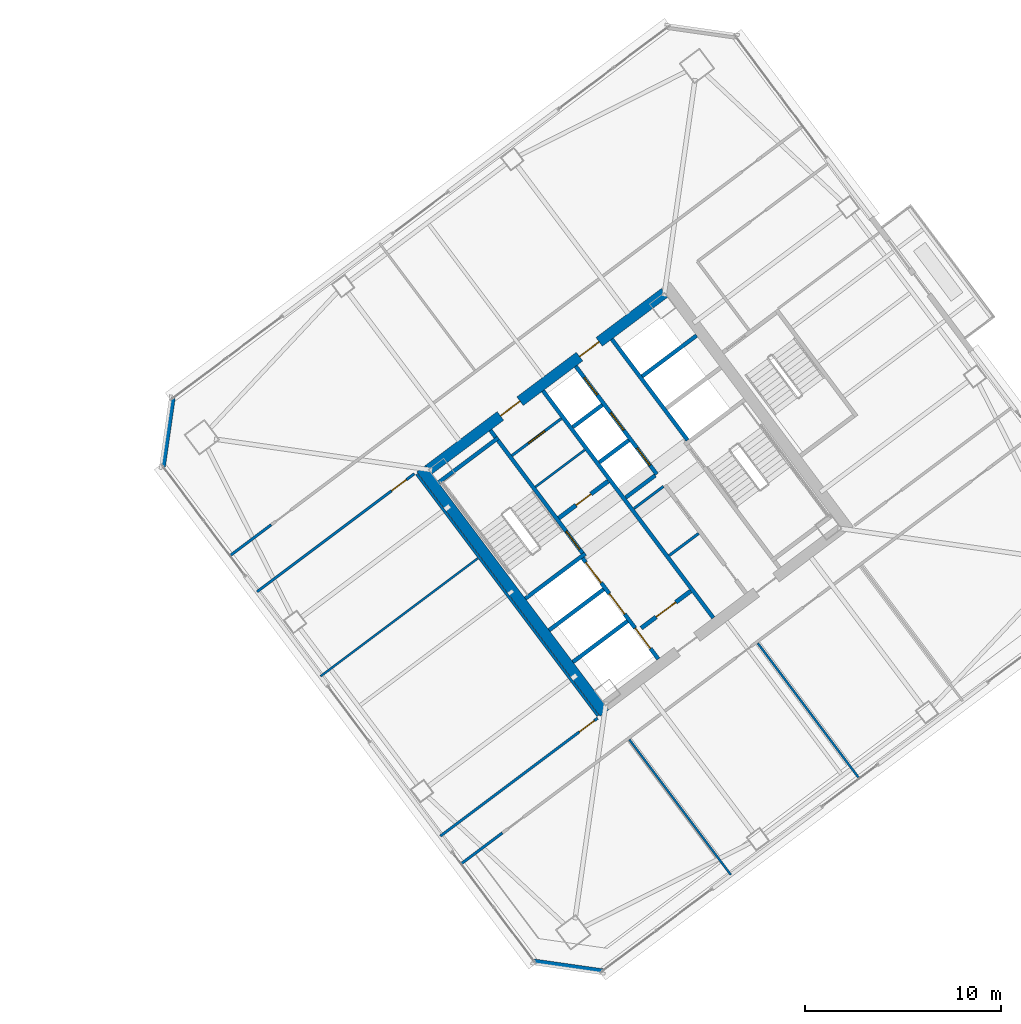
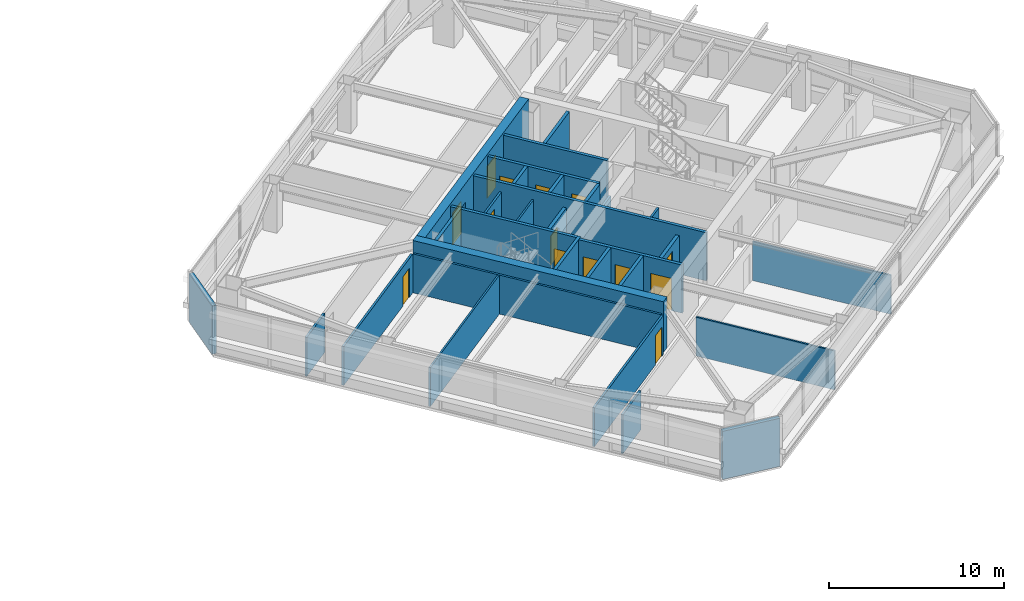
# One storey, part 36 of 44: 31 walls, 14 doors, 14 openings.
"""IFC4 building model written with IfcOpenShell, lengths in metres."""

from ifc_helpers import new_model, si_unit, direction, frame, frame_2d, origin, place, context, subcontext, project, spatial, rectangle, extrude, material, layer, layer_set, type_object, element, fill, save


model = new_model("IFC4")

# Units and contexts
model_context = context("Model", 3, precision=1e-05, world=origin(), true_north=direction((0.0, 1.0)))
body_context = subcontext(model_context, "Body", "Model", "MODEL_VIEW")
ifc_project = project(units=[si_unit("LENGTHUNIT", "METRE"), si_unit("AREAUNIT", "SQUARE_METRE"), si_unit("VOLUMEUNIT", "CUBIC_METRE"), si_unit("PLANEANGLEUNIT", "RADIAN"), si_unit("MASSUNIT", "GRAM", prefix="KILO")], contexts=[model_context])

# Site, building, storey
site_placement = place(None, origin())
site = spatial("IfcSite", under=ifc_project, at=site_placement, CompositionType="ELEMENT")
building_placement = place(site_placement, origin())
building = spatial("IfcBuilding", under=site, at=building_placement, Name="Tashvorn Skyway Center", CompositionType="ELEMENT")
storey_placement = place(building_placement, frame((0.0, 0.0, 128.60009765625)))
storey = spatial("IfcBuildingStorey", under=building, at=storey_placement, Name="L34", CompositionType="ELEMENT", Elevation=128.60009765625)

# Wall
ifc_material_1 = material(Name="Concrete C60/75", Category="concrete")
ifc_layer_1 = layer(ifc_material_1, 0.550048828125)
ifc_layer_set_1 = layer_set([ifc_layer_1], Name="Concrete C60/75")
wall_type_1 = type_object("IfcWallType", Name="WALL-CORE-550", PredefinedType="SHEAR", material=ifc_layer_set_1)
wall_1_placement = place(storey_placement, frame((112.43603515625, 21.076904296875, 0.0), z_axis=(0.0, 0.0, 1.0), x_axis=(-0.600005007985, 0.799996243986, 0.0)))
element("IfcWall", 1, at=wall_1_placement, inside=storey, type_object=wall_type_1, Name="Tower 2 L34 West Core Shear Wall", PredefinedType="SHEAR", context=body_context, shape_type="SweptSolid", body=[
    extrude(rectangle(XDim=15.60009765625, YDim=0.550048828125, at=frame_2d((7.800048828125, 0.0))), origin(), (0.0, 0.0, 1.0), 3.5498046875),
])

# Wall, openings, doors
wall_2_placement = place(storey_placement, frame((103.4609375, 33.501953125, 0.0), z_axis=(0.0, 0.0, 1.0), x_axis=(0.799998054672, 0.600002593761, 0.0)))
wall_2 = element("IfcWall", 2, at=wall_2_placement, inside=storey, type_object=wall_type_1, Name="Tower 2 L34 North Core Shear Wall", PredefinedType="SHEAR", context=body_context, shape_type="SweptSolid", body=[
    extrude(rectangle(XDim=15.06005859375, YDim=0.550048828125, at=frame_2d((7.530029296875, 0.0))), origin(), (0.0, 0.0, 1.0), 3.5498046875),
])
opening_1_placement = place(wall_2_placement, frame((4.580078125, 0.0, 0.0)))
opening_1 = element("IfcOpeningElement", 3, at=opening_1_placement, cuts=wall_2, Name="Opening D-FFL-1250", PredefinedType="OPENING", context=body_context, shape_type="SweptSolid", body=[
    extrude(rectangle(XDim=1.25, YDim=2.25, at=frame_2d((0.625, 1.125))), frame((0.0, 0.284912109375, 0.0), z_axis=(0.0, -1.0, 0.0), x_axis=(1.0, 0.0, 0.0)), (0.0, 0.0, 1.0), 0.570068359375),
])
opening_2_placement = place(wall_2_placement, frame((9.6298828125, 0.0, 0.0)))
opening_2 = element("IfcOpeningElement", 4, at=opening_2_placement, cuts=wall_2, Name="Opening D-FFL-1250", PredefinedType="OPENING", context=body_context, shape_type="SweptSolid", body=[
    extrude(rectangle(XDim=1.25, YDim=2.25, at=frame_2d((0.625, 1.125))), frame((0.0, 0.284912109375, 0.0), z_axis=(0.0, -1.0, 0.0), x_axis=(1.0, 0.0, 0.0)), (0.0, 0.0, 1.0), 0.570068359375),
])
ifc_material_2 = material(Name="Hollow galvanized steel fire door assembly", Category="steel")
door_type_1 = type_object("IfcDoorType", Name="DOOR-FFL-1250", OperationType="NOTDEFINED", PredefinedType="DOOR", material=ifc_material_2)
door_1_placement = place(opening_1_placement, origin())
door_1 = element("IfcDoor", 5, at=door_1_placement, inside=storey, type_object=door_type_1, Name="Tower 2 L34 Core North Service Lobby Door", OperationType="SINGLE_SWING_LEFT", OverallHeight=2.25, OverallWidth=1.25, PredefinedType="DOOR", context=body_context, shape_type="SweptSolid", body=[
    extrude(rectangle(XDim=1.25, YDim=2.25, at=frame_2d((0.625, 1.125))), frame((0.0, 0.02490234375, 0.0), z_axis=(0.0, -1.0, 0.0), x_axis=(1.0, 0.0, 0.0)), (0.0, 0.0, 1.0), 0.050048828125),
])
fill(opening_1, door_1)
door_2_placement = place(opening_2_placement, origin())
door_2 = element("IfcDoor", 6, at=door_2_placement, inside=storey, type_object=door_type_1, Name="Tower 2 L34 Core North Lift Lobby Door", OperationType="SINGLE_SWING_RIGHT", OverallHeight=2.25, OverallWidth=1.25, PredefinedType="DOOR", context=body_context, shape_type="SweptSolid", body=[
    extrude(rectangle(XDim=1.25, YDim=2.25, at=frame_2d((0.625, 1.125))), frame((0.0, 0.02490234375, 0.0), z_axis=(0.0, -1.0, 0.0), x_axis=(1.0, 0.0, 0.0)), (0.0, 0.0, 1.0), 0.050048828125),
])
fill(opening_2, door_2)

# Walls
ifc_material_3 = material(Name="Precast concrete C40/50", Category="concrete")
ifc_layer_2 = layer(ifc_material_3, 0.280029296875)
ifc_layer_set_2 = layer_set([ifc_layer_2], Name="Precast concrete C40/50")
wall_type_2 = type_object("IfcWallType", Name="WALL-EXT-280", PredefinedType="SOLIDWALL", material=ifc_layer_set_2)
for number, where, z_axis, x_axis, name in (
    (7, (112.340087890625, 7.8798828125, 0.0), (0.0, 0.0, 1.0), (-0.989949493661, 0.141421356237, 0.0), "Tower 2 L34 SW Precast Chamfer Wall"),
    (8, (89.8798828125, 33.659912109375, 0.0), (0.0, 0.0, 1.0), (0.141421356237, 0.989949493661, 0.0), "Tower 2 L34 NW Precast Chamfer Wall"),
):
    element("IfcWall", number, at=place(storey_placement, frame(where, z_axis=z_axis, x_axis=x_axis)), inside=storey, type_object=wall_type_2, Name=name, PredefinedType="SOLIDWALL", context=body_context, shape_type="SweptSolid", body=[
        extrude(rectangle(XDim=3.53564453125, YDim=0.280029296875, at=frame_2d((1.767822265625, 0.0))), origin(), (0.0, 0.0, 1.0), 3.369873046875),
    ])

# Wall, opening, door
ifc_material_4 = material(Name="Concrete C40/50", Category="concrete")
ifc_layer_3 = layer(ifc_material_4, 0.219970703125)
ifc_layer_set_3 = layer_set([ifc_layer_3], Name="Concrete C40/50")
wall_type_3 = type_object("IfcWallType", Name="WALL-FFL-220", PredefinedType="SOLIDWALL", material=ifc_layer_set_3)
wall_3_placement = place(storey_placement, frame((110.10400390625, 31.028076171875, 0.0), z_axis=(0.0, 0.0, 1.0), x_axis=(0.800018601094, 0.59997519774, 0.0)))
wall_3 = element("IfcWall", 9, at=wall_3_placement, inside=storey, type_object=wall_type_3, Name="Tower 2 L34 Firefighting Lobby North Wall", PredefinedType="SOLIDWALL", context=body_context, shape_type="SweptSolid", body=[
    extrude(rectangle(XDim=3.14990234375, YDim=0.219970703125, at=frame_2d((1.574951171875, 0.0))), origin(), (0.0, 0.0, 1.0), 2.722900390625),
])
opening_3_placement = place(wall_3_placement, frame((1.10009765625, 0.0, 0.0)))
opening_3 = element("IfcOpeningElement", 10, at=opening_3_placement, cuts=wall_3, Name="Opening D-RT-950", PredefinedType="OPENING", context=body_context, shape_type="SweptSolid", body=[
    extrude(rectangle(XDim=0.949951171875, YDim=2.050048828125, at=frame_2d((0.47509765625, 1.02490234375))), frame((0.0, 0.119873046875, 0.0), z_axis=(0.0, -1.0, 0.0), x_axis=(1.0, 0.0, 0.0)), (0.0, 0.0, 1.0), 0.239990234375),
])
door_type_2 = type_object("IfcDoorType", Name="DOOR-RATED-950", OperationType="NOTDEFINED", PredefinedType="DOOR", material=ifc_material_2)
door_3_placement = place(opening_3_placement, origin())
door_3 = element("IfcDoor", 11, at=door_3_placement, inside=storey, type_object=door_type_2, Name="Tower 2 L34 Core Linen Store Door", OperationType="SINGLE_SWING_LEFT", OverallHeight=2.050048828125, OverallWidth=0.949951171875, PredefinedType="DOOR", context=body_context, shape_type="SweptSolid", body=[
    extrude(rectangle(XDim=0.949951171875, YDim=2.050048828125, at=frame_2d((0.47509765625, 1.02490234375))), frame((0.0, 0.02490234375, 0.0), z_axis=(0.0, -1.0, 0.0), x_axis=(1.0, 0.0, 0.0)), (0.0, 0.0, 1.0), 0.050048828125),
])
fill(opening_3, door_3)

wall_4_placement = place(storey_placement, frame((114.31591796875, 25.412109375, 0.0), z_axis=(0.0, 0.0, 1.0), x_axis=(0.800018601094, 0.59997519774, 0.0)))
wall_4 = element("IfcWall", 12, at=wall_4_placement, inside=storey, type_object=wall_type_3, Name="Tower 2 L34 Firefighting Lobby South Wall", PredefinedType="SOLIDWALL", context=body_context, shape_type="SweptSolid", body=[
    extrude(rectangle(XDim=3.14990234375, YDim=0.219970703125, at=frame_2d((1.574951171875, 0.0))), origin(), (0.0, 0.0, 1.0), 2.722900390625),
])
opening_4_placement = place(wall_4_placement, frame((0.949951171875, 0.0, 0.0)))
opening_4 = element("IfcOpeningElement", 13, at=opening_4_placement, cuts=wall_4, Name="Opening D-FFL-1250", PredefinedType="OPENING", context=body_context, shape_type="SweptSolid", body=[
    extrude(rectangle(XDim=1.25, YDim=2.25, at=frame_2d((0.625, 1.125))), frame((0.0, 0.119873046875, 0.0), z_axis=(0.0, -1.0, 0.0), x_axis=(1.0, 0.0, 0.0)), (0.0, 0.0, 1.0), 0.239990234375),
])
door_4_placement = place(opening_4_placement, origin())
door_4 = element("IfcDoor", 14, at=door_4_placement, inside=storey, type_object=door_type_1, Name="Tower 2 L34 Firefighting Lobby Egress Door", OperationType="SINGLE_SWING_LEFT", OverallHeight=2.25, OverallWidth=1.25, PredefinedType="DOOR", context=body_context, shape_type="SweptSolid", body=[
    extrude(rectangle(XDim=1.25, YDim=2.25, at=frame_2d((0.625, 1.125))), frame((0.0, 0.02490234375, 0.0), z_axis=(0.0, -1.0, 0.0), x_axis=(1.0, 0.0, 0.0)), (0.0, 0.0, 1.0), 0.050048828125),
])
fill(opening_4, door_4)

# Walls
ifc_material_5 = material(Name="Gypsum board on cold-formed steel stud framing", Category="steel")
ifc_layer_4 = layer(ifc_material_5, 0.110107421875)
ifc_layer_set_4 = layer_set([ifc_layer_4], Name="Gypsum board on cold-formed steel stud framing")
wall_type_4 = type_object("IfcWallType", Name="WALL-PART-110", PredefinedType="PARTITIONING", material=ifc_layer_set_4)
wall_5_placement = place(storey_placement, frame((118.887939453125, 12.81591796875, 0.0), z_axis=(0.0, 0.0, 1.0), x_axis=(-0.599995473644, 0.800003394747, 0.0)))
element("IfcWall", 15, at=wall_5_placement, inside=storey, type_object=wall_type_4, Name="Tower 2 L34 South Suite Partition 1", PredefinedType="PARTITIONING", context=body_context, shape_type="SweptSolid", body=[
    extrude(rectangle(XDim=8.630126953125, YDim=0.110107421875, at=frame_2d((4.31494140625, 0.0))), origin(), (0.0, 0.0, 1.0), 2.722900390625),
])
wall_6_placement = place(storey_placement, frame((125.447998046875, 17.736083984375, 0.0), z_axis=(0.0, 0.0, 1.0), x_axis=(-0.600009052859, 0.799993210276, 0.0)))
element("IfcWall", 16, at=wall_6_placement, inside=storey, type_object=wall_type_4, Name="Tower 2 L34 South Suite Partition 2", PredefinedType="PARTITIONING", context=body_context, shape_type="SweptSolid", body=[
    extrude(rectangle(XDim=8.6298828125, YDim=0.110107421875, at=frame_2d((4.31494140625, 0.0))), origin(), (0.0, 0.0, 1.0), 2.722900390625),
])
wall_7_placement = place(storey_placement, frame((97.93603515625, 22.951904296875, 0.0), z_axis=(0.0, 0.0, 1.0), x_axis=(0.799991245945, 0.600011671896, 0.0)))
element("IfcWall", 17, at=wall_7_placement, inside=storey, type_object=wall_type_4, Name="Tower 2 L34 West Mid Partition", PredefinedType="PARTITIONING", context=body_context, shape_type="SweptSolid", body=[
    extrude(rectangle(XDim=10.0400390625, YDim=0.110107421875, at=frame_2d((5.02001953125, 0.0))), origin(), (0.0, 0.0, 1.0), 2.722900390625),
])
ifc_layer_5 = layer(ifc_material_5, 0.135009765625)
ifc_layer_set_5 = layer_set([ifc_layer_5], Name="Gypsum board on cold-formed steel stud framing")
wall_type_5 = type_object("IfcWallType", Name="WALL-PART-135", PredefinedType="PARTITIONING", material=ifc_layer_set_5)
wall_8_placement = place(storey_placement, frame((93.31591796875, 29.112060546875, 0.0), z_axis=(0.0, 0.0, 1.0), x_axis=(0.80002227902, 0.599970293491, 0.0)))
element("IfcWall", 18, at=wall_8_placement, inside=storey, type_object=wall_type_5, Name="Tower 2 L34 North-West Suite South Wall", PredefinedType="PARTITIONING", context=body_context, shape_type="SweptSolid", body=[
    extrude(rectangle(XDim=2.6298828125, YDim=0.135009765625, at=frame_2d((1.31494140625, 0.0))), origin(), (0.0, 0.0, 1.0), 2.722900390625),
])
wall_9_placement = place(storey_placement, frame((105.117919921875, 13.3759765625, 0.0), z_axis=(0.0, 0.0, 1.0), x_axis=(0.799977721118, 0.600029704027, 0.0)))
element("IfcWall", 19, at=wall_9_placement, inside=storey, type_object=wall_type_5, Name="Tower 2 L34 South-West Suite North Wall", PredefinedType="PARTITIONING", context=body_context, shape_type="SweptSolid", body=[
    extrude(rectangle(XDim=2.630126953125, YDim=0.135009765625, at=frame_2d((1.31494140625, 0.0))), origin(), (0.0, 0.0, 1.0), 2.722900390625),
])
wall_10_placement = place(storey_placement, frame((112.10400390625, 20.927978515625, 0.0), z_axis=(0.0, 0.0, 1.0), x_axis=(-0.599994940075, 0.800003794918, 0.0)))
element("IfcWall", 20, at=wall_10_placement, inside=storey, type_object=wall_type_5, Name="Tower 2 L34 West Inner Suite Wall", PredefinedType="PARTITIONING", context=body_context, shape_type="SweptSolid", body=[
    extrude(rectangle(XDim=15.43994140625, YDim=0.135009765625, at=frame_2d((7.719970703125, 0.0))), origin(), (0.0, 0.0, 1.0), 2.722900390625),
])

# Wall, opening, door
wall_11_placement = place(storey_placement, frame((102.72802734375, 33.2958984375, 0.0), z_axis=(0.0, 0.0, 1.0), x_axis=(-0.800002918023, -0.599996109283, 0.0)))
wall_11 = element("IfcWall", 21, at=wall_11_placement, inside=storey, type_object=wall_type_5, Name="Tower 2 L34 West Suite North Wall", PredefinedType="PARTITIONING", context=body_context, shape_type="SweptSolid", body=[
    extrude(rectangle(XDim=10.0400390625, YDim=0.135009765625, at=frame_2d((5.02001953125, 0.0))), origin(), (0.0, 0.0, 1.0), 2.722900390625),
])
opening_5_placement = place(wall_11_placement, frame((0.5, 0.0, 0.0)))
opening_5 = element("IfcOpeningElement", 22, at=opening_5_placement, cuts=wall_11, Name="Opening D-INT-950", PredefinedType="OPENING", context=body_context, shape_type="SweptSolid", body=[
    extrude(rectangle(XDim=0.949951171875, YDim=2.050048828125, at=frame_2d((0.47509765625, 1.02490234375))), frame((0.0, 0.077392578125, 0.0), z_axis=(0.0, -1.0, 0.0), x_axis=(1.0, 0.0, 0.0)), (0.0, 0.0, 1.0), 0.155029296875),
])
ifc_material_6 = material(Name="Solid-core architectural oak veneer door")
door_type_3 = type_object("IfcDoorType", Name="DOOR-INT-950", OperationType="NOTDEFINED", PredefinedType="DOOR", material=ifc_material_6)
door_5_placement = place(opening_5_placement, origin())
door_5 = element("IfcDoor", 23, at=door_5_placement, inside=storey, type_object=door_type_3, Name="Tower 2 L34 Staff Fitness Club Door", OperationType="SINGLE_SWING_RIGHT", OverallHeight=2.050048828125, OverallWidth=0.949951171875, PredefinedType="DOOR", context=body_context, shape_type="SweptSolid", body=[
    extrude(rectangle(XDim=0.949951171875, YDim=2.050048828125, at=frame_2d((0.47509765625, 1.02490234375))), frame((0.0, 0.02490234375, 0.0), z_axis=(0.0, -1.0, 0.0), x_axis=(1.0, 0.0, 0.0)), (0.0, 0.0, 1.0), 0.050048828125),
])
fill(opening_5, door_5)

wall_12_placement = place(storey_placement, frame((104.055908203125, 14.7919921875, 0.0), z_axis=(0.0, 0.0, 1.0), x_axis=(0.800002918023, 0.599996109283, 0.0)))
wall_12 = element("IfcWall", 24, at=wall_12_placement, inside=storey, type_object=wall_type_5, Name="Tower 2 L34 West Suite South Wall", PredefinedType="PARTITIONING", context=body_context, shape_type="SweptSolid", body=[
    extrude(rectangle(XDim=10.0400390625, YDim=0.135009765625, at=frame_2d((5.02001953125, 0.0))), origin(), (0.0, 0.0, 1.0), 2.722900390625),
])
opening_6_placement = place(wall_12_placement, frame((8.8798828125, 0.0, 0.0)))
opening_6 = element("IfcOpeningElement", 25, at=opening_6_placement, cuts=wall_12, Name="Opening D-INT-950", PredefinedType="OPENING", context=body_context, shape_type="SweptSolid", body=[
    extrude(rectangle(XDim=0.949951171875, YDim=2.050048828125, at=frame_2d((0.47509765625, 1.02490234375))), frame((0.0, 0.077392578125, 0.0), z_axis=(0.0, -1.0, 0.0), x_axis=(1.0, 0.0, 0.0)), (0.0, 0.0, 1.0), 0.155029296875),
])
door_6_placement = place(opening_6_placement, origin())
door_6 = element("IfcDoor", 26, at=door_6_placement, inside=storey, type_object=door_type_3, Name="Tower 2 L34 Public Restroom Door", OperationType="SINGLE_SWING_LEFT", OverallHeight=2.050048828125, OverallWidth=0.949951171875, PredefinedType="DOOR", context=body_context, shape_type="SweptSolid", body=[
    extrude(rectangle(XDim=0.949951171875, YDim=2.050048828125, at=frame_2d((0.47509765625, 1.02490234375))), frame((0.0, 0.02490234375, 0.0), z_axis=(0.0, -1.0, 0.0), x_axis=(1.0, 0.0, 0.0)), (0.0, 0.0, 1.0), 0.050048828125),
])
fill(opening_6, door_6)

# Wall
ifc_layer_6 = layer(ifc_material_5, 0.110107421875)
ifc_layer_set_6 = layer_set([ifc_layer_6], Name="Gypsum board on cold-formed steel stud framing")
wall_type_6 = type_object("IfcWallType", Name="WALL-RATED-110", PredefinedType="PARTITIONING", material=ifc_layer_set_6)
wall_13_placement = place(storey_placement, frame((108.909912109375, 32.6201171875, 0.0), z_axis=(0.0, 0.0, 1.0), x_axis=(0.800018601094, 0.59997519774, 0.0)))
element("IfcWall", 27, at=wall_13_placement, inside=storey, type_object=wall_type_6, Name="Tower 2 L34 Core Transverse Wall", PredefinedType="PARTITIONING", context=body_context, shape_type="SweptSolid", body=[
    extrude(rectangle(XDim=3.14990234375, YDim=0.110107421875, at=frame_2d((1.574951171875, 0.0))), origin(), (0.0, 0.0, 1.0), 2.722900390625),
])

# Wall, opening, door
ifc_layer_7 = layer(ifc_material_5, 0.135009765625)
ifc_layer_set_7 = layer_set([ifc_layer_7], Name="Gypsum board on cold-formed steel stud framing")
wall_type_7 = type_object("IfcWallType", Name="WALL-RATED-135", PredefinedType="PARTITIONING", material=ifc_layer_set_7)
wall_14_placement = place(storey_placement, frame((107.7099609375, 34.219970703125, 0.0), z_axis=(0.0, 0.0, 1.0), x_axis=(0.799981399002, 0.60002480053, 0.0)))
wall_14 = element("IfcWall", 28, at=wall_14_placement, inside=storey, type_object=wall_type_7, Name="Tower 2 L34 Core Service Lobby Wall", PredefinedType="PARTITIONING", context=body_context, shape_type="SweptSolid", body=[
    extrude(rectangle(XDim=3.150146484375, YDim=0.135009765625, at=frame_2d((1.5751953125, 0.0))), origin(), (0.0, 0.0, 1.0), 2.722900390625),
])
opening_7_placement = place(wall_14_placement, frame((1.050048828125, 0.0, 0.0)))
opening_7 = element("IfcOpeningElement", 29, at=opening_7_placement, cuts=wall_14, Name="Opening D-RT-1050", PredefinedType="OPENING", context=body_context, shape_type="SweptSolid", body=[
    extrude(rectangle(XDim=1.050048828125, YDim=2.199951171875, at=frame_2d((0.52490234375, 1.10009765625))), frame((0.0, 0.077392578125, 0.0), z_axis=(0.0, -1.0, 0.0), x_axis=(1.0, 0.0, 0.0)), (0.0, 0.0, 1.0), 0.155029296875),
])
door_type_4 = type_object("IfcDoorType", Name="DOOR-RATED-1050", OperationType="NOTDEFINED", PredefinedType="DOOR", material=ifc_material_2)
door_7_placement = place(opening_7_placement, origin())
door_7 = element("IfcDoor", 30, at=door_7_placement, inside=storey, type_object=door_type_4, Name="Tower 2 L34 Core Accessible WC Door", OperationType="SINGLE_SWING_RIGHT", OverallHeight=2.199951171875, OverallWidth=1.050048828125, PredefinedType="DOOR", context=body_context, shape_type="SweptSolid", body=[
    extrude(rectangle(XDim=1.050048828125, YDim=2.199951171875, at=frame_2d((0.52490234375, 1.10009765625))), frame((0.0, 0.02490234375, 0.0), z_axis=(0.0, -1.0, 0.0), x_axis=(1.0, 0.0, 0.0)), (0.0, 0.0, 1.0), 0.050048828125),
])
fill(opening_7, door_7)

# Walls
for number, where, z_axis, x_axis, name in (
    (31, (113.946044921875, 31.52197265625, 0.0), (0.0, 0.0, 1.0), (0.8, 0.6, 0.0), "Tower 2 L34 Core Room Partition"),
    (32, (115.74609375, 29.1220703125, 0.0), (0.0, 0.0, 1.0), (0.8, 0.6, 0.0), "Tower 2 L34 Freed Core Partition"),
):
    element("IfcWall", number, at=place(storey_placement, frame(where, z_axis=z_axis, x_axis=x_axis)), inside=storey, type_object=wall_type_7, Name=name, PredefinedType="PARTITIONING", context=body_context, shape_type="SweptSolid", body=[
        extrude(rectangle(XDim=1.8798828125, YDim=0.135009765625, at=frame_2d((0.93994140625, 0.0))), origin(), (0.0, 0.0, 1.0), 2.722900390625),
    ])
ifc_layer_8 = layer(ifc_material_4, 0.199951171875)
ifc_layer_set_8 = layer_set([ifc_layer_8], Name="Concrete C40/50")
wall_type_8 = type_object("IfcWallType", Name="WALL-SHAFT-200", PredefinedType="SOLIDWALL", material=ifc_layer_set_8)
for number, where, z_axis, x_axis, name in (
    (33, (110.825927734375, 23.681884765625, 0.0), (0.0, 0.0, 1.0), (0.8, 0.6, 0.0), "Tower 2 L34 FSAE Shaft Divider"),
    (34, (109.60791015625, 25.305908203125, 0.0), (0.0, 0.0, 1.0), (0.8, 0.6, 0.0), "Tower 2 L34 FSAE Shaft Divider"),
):
    element("IfcWall", number, at=place(storey_placement, frame(where, z_axis=z_axis, x_axis=x_axis)), inside=storey, type_object=wall_type_8, Name=name, PredefinedType="SOLIDWALL", context=body_context, shape_type="SweptSolid", body=[
        extrude(rectangle(XDim=3.480224609375, YDim=0.199951171875, at=frame_2d((1.740234375, 0.0))), origin(), (0.0, 0.0, 1.0), 3.369873046875),
    ])
wall_15_placement = place(storey_placement, frame((114.360107421875, 38.27001953125, 0.0), z_axis=(0.0, 0.0, 1.0), x_axis=(0.800008418847, 0.599988774707, 0.0)))
element("IfcWall", 35, at=wall_15_placement, inside=storey, type_object=wall_type_8, Name="Tower 2 L34 High-Rise Shaft Divider", PredefinedType="SOLIDWALL", context=body_context, shape_type="SweptSolid", body=[
    extrude(rectangle(XDim=3.47998046875, YDim=0.199951171875, at=frame_2d((1.739990234375, 0.0))), origin(), (0.0, 0.0, 1.0), 3.369873046875),
])

# Wall, openings, doors
wall_16_placement = place(storey_placement, frame((115.110107421875, 33.27001953125, 0.0), z_axis=(0.0, 0.0, 1.0), x_axis=(-0.600011322243, 0.799991508192, 0.0)))
wall_16 = element("IfcWall", 36, at=wall_16_placement, inside=storey, type_object=wall_type_8, Name="Tower 2 L34 Mid-Rise Core Wall", PredefinedType="SOLIDWALL", context=body_context, shape_type="SweptSolid", body=[
    extrude(rectangle(XDim=6.900146484375, YDim=0.199951171875, at=frame_2d((3.4501953125, 0.0))), origin(), (0.0, 0.0, 1.0), 3.369873046875),
])
opening_8_placement = place(wall_16_placement, frame((0.574951171875, 0.0, 0.0)))
opening_8 = element("IfcOpeningElement", 37, at=opening_8_placement, cuts=wall_16, Name="Opening LD-MR-T2-1-L34", PredefinedType="OPENING", context=body_context, shape_type="SweptSolid", body=[
    extrude(rectangle(XDim=1.10009765625, YDim=2.199951171875, at=frame_2d((0.550048828125, 1.10009765625))), frame((0.0, 0.10986328125, 0.0), z_axis=(0.0, -1.0, 0.0), x_axis=(1.0, 0.0, 0.0)), (0.0, 0.0, 1.0), 0.219970703125),
])
opening_9_placement = place(wall_16_placement, frame((2.824951171875, 0.0, 0.0)))
opening_9 = element("IfcOpeningElement", 38, at=opening_9_placement, cuts=wall_16, Name="Opening LD-MR-T2-2-L34", PredefinedType="OPENING", context=body_context, shape_type="SweptSolid", body=[
    extrude(rectangle(XDim=1.10009765625, YDim=2.199951171875, at=frame_2d((0.550048828125, 1.10009765625))), frame((0.0, 0.10986328125, 0.0), z_axis=(0.0, -1.0, 0.0), x_axis=(1.0, 0.0, 0.0)), (0.0, 0.0, 1.0), 0.219970703125),
])
opening_10_placement = place(wall_16_placement, frame((5.074951171875, 0.0, 0.0)))
opening_10 = element("IfcOpeningElement", 39, at=opening_10_placement, cuts=wall_16, Name="Opening LD-MR-T2-3-L34", PredefinedType="OPENING", context=body_context, shape_type="SweptSolid", body=[
    extrude(rectangle(XDim=1.10009765625, YDim=2.199951171875, at=frame_2d((0.550048828125, 1.10009765625))), frame((0.0, 0.10986328125, 0.0), z_axis=(0.0, -1.0, 0.0), x_axis=(1.0, 0.0, 0.0)), (0.0, 0.0, 1.0), 0.219970703125),
])
ifc_material_7 = material(Name="Stainless steel landing door", Category="steel")
door_type_5 = type_object("IfcDoorType", Name="DOOR-LIFT-1100", OperationType="SLIDING_TO_LEFT", PredefinedType="DOOR", material=ifc_material_7)
door_8_placement = place(opening_8_placement, origin())
door_8 = element("IfcDoor", 40, at=door_8_placement, inside=storey, type_object=door_type_5, Name="Lift MR-T2-1 L34 Landing Door", OperationType="SLIDING_TO_LEFT", OverallHeight=2.199951171875, OverallWidth=1.10009765625, PredefinedType="DOOR", context=body_context, shape_type="SweptSolid", body=[
    extrude(rectangle(XDim=1.10009765625, YDim=2.199951171875, at=frame_2d((0.550048828125, 1.10009765625))), frame((0.0, 0.02490234375, 0.0), z_axis=(0.0, -1.0, 0.0), x_axis=(1.0, 0.0, 0.0)), (0.0, 0.0, 1.0), 0.050048828125),
])
fill(opening_8, door_8)
door_9_placement = place(opening_9_placement, origin())
door_9 = element("IfcDoor", 41, at=door_9_placement, inside=storey, type_object=door_type_5, Name="Lift MR-T2-2 L34 Landing Door", OperationType="SLIDING_TO_LEFT", OverallHeight=2.199951171875, OverallWidth=1.10009765625, PredefinedType="DOOR", context=body_context, shape_type="SweptSolid", body=[
    extrude(rectangle(XDim=1.10009765625, YDim=2.199951171875, at=frame_2d((0.550048828125, 1.10009765625))), frame((0.0, 0.02490234375, 0.0), z_axis=(0.0, -1.0, 0.0), x_axis=(1.0, 0.0, 0.0)), (0.0, 0.0, 1.0), 0.050048828125),
])
fill(opening_9, door_9)
door_10_placement = place(opening_10_placement, origin())
door_10 = element("IfcDoor", 42, at=door_10_placement, inside=storey, type_object=door_type_5, Name="Lift MR-T2-3 L34 Landing Door", OperationType="SLIDING_TO_LEFT", OverallHeight=2.199951171875, OverallWidth=1.10009765625, PredefinedType="DOOR", context=body_context, shape_type="SweptSolid", body=[
    extrude(rectangle(XDim=1.10009765625, YDim=2.199951171875, at=frame_2d((0.550048828125, 1.10009765625))), frame((0.0, 0.02490234375, 0.0), z_axis=(0.0, -1.0, 0.0), x_axis=(1.0, 0.0, 0.0)), (0.0, 0.0, 1.0), 0.050048828125),
])
fill(opening_10, door_10)

# Walls
wall_17_placement = place(storey_placement, frame((113.52587890625, 32.08203125, 0.0), z_axis=(0.0, 0.0, 1.0), x_axis=(0.800046745961, 0.599937666993, 0.0)))
element("IfcWall", 43, at=wall_17_placement, inside=storey, type_object=wall_type_8, Name="Tower 2 L34 Mid-Rise Shaft Divider", PredefinedType="SOLIDWALL", context=body_context, shape_type="SweptSolid", body=[
    extrude(rectangle(XDim=1.880126953125, YDim=0.199951171875, at=frame_2d((0.93994140625, 0.0))), origin(), (0.0, 0.0, 1.0), 3.369873046875),
])
wall_18_placement = place(storey_placement, frame((112.176025390625, 33.882080078125, 0.0), z_axis=(0.0, 0.0, 1.0), x_axis=(0.8, 0.6, 0.0)))
element("IfcWall", 44, at=wall_18_placement, inside=storey, type_object=wall_type_8, Name="Tower 2 L34 Mid-Rise Shaft Divider", PredefinedType="SOLIDWALL", context=body_context, shape_type="SweptSolid", body=[
    extrude(rectangle(XDim=1.8798828125, YDim=0.199951171875, at=frame_2d((0.93994140625, 0.0))), origin(), (0.0, 0.0, 1.0), 3.369873046875),
])
wall_19_placement = place(storey_placement, frame((110.825927734375, 35.681884765625, 0.0), z_axis=(0.0, 0.0, 1.0), x_axis=(0.799984418148, 0.600020775241, 0.0)))
element("IfcWall", 45, at=wall_19_placement, inside=storey, type_object=wall_type_8, Name="Tower 2 L34 Mid-Rise Shaft Divider", PredefinedType="SOLIDWALL", context=body_context, shape_type="SweptSolid", body=[
    extrude(rectangle(XDim=1.880126953125, YDim=0.199951171875, at=frame_2d((0.93994140625, 0.0))), origin(), (0.0, 0.0, 1.0), 3.369873046875),
])

# Wall, opening, door
ifc_layer_9 = layer(ifc_material_4, 0.199951171875)
ifc_layer_set_9 = layer_set([ifc_layer_9], Name="Concrete C40/50")
wall_type_9 = type_object("IfcWallType", Name="WALL-STSHF-200", PredefinedType="SHEAR", material=ifc_layer_set_9)
wall_20_placement = place(storey_placement, frame((111.43994140625, 29.080078125, 0.0), z_axis=(0.0, 0.0, 1.0), x_axis=(-0.59999029481, 0.8000072788, 0.0)))
wall_20 = element("IfcWall", 46, at=wall_20_placement, inside=storey, type_object=wall_type_9, Name="Tower 2 L34 Stair 1 Enclosure Wall", PredefinedType="SHEAR", context=body_context, shape_type="SweptSolid", body=[
    extrude(rectangle(XDim=8.0498046875, YDim=0.199951171875, at=frame_2d((4.02490234375, 0.0))), origin(), (0.0, 0.0, 1.0), 3.369873046875),
])
opening_11_placement = place(wall_20_placement, frame((0.449951171875, 0.0, 0.0)))
opening_11 = element("IfcOpeningElement", 47, at=opening_11_placement, cuts=wall_20, Name="Opening D-ST-1150", PredefinedType="OPENING", context=body_context, shape_type="SweptSolid", body=[
    extrude(rectangle(XDim=1.14990234375, YDim=2.199951171875, at=frame_2d((0.574951171875, 1.10009765625))), frame((0.0, 0.10986328125, 0.0), z_axis=(0.0, -1.0, 0.0), x_axis=(1.0, 0.0, 0.0)), (0.0, 0.0, 1.0), 0.219970703125),
])
door_type_6 = type_object("IfcDoorType", Name="DOOR-STAIR-1150", OperationType="NOTDEFINED", PredefinedType="DOOR", material=ifc_material_2)
door_11_placement = place(opening_11_placement, origin())
door_11 = element("IfcDoor", 48, at=door_11_placement, inside=storey, type_object=door_type_6, Name="Tower 2 L34 Exit Stair 1 Door", OperationType="SINGLE_SWING_RIGHT", OverallHeight=2.199951171875, OverallWidth=1.14990234375, PredefinedType="DOOR", context=body_context, shape_type="SweptSolid", body=[
    extrude(rectangle(XDim=1.14990234375, YDim=2.199951171875, at=frame_2d((0.574951171875, 1.10009765625))), frame((0.0, 0.02490234375, 0.0), z_axis=(0.0, -1.0, 0.0), x_axis=(1.0, 0.0, 0.0)), (0.0, 0.0, 1.0), 0.050048828125),
])
fill(opening_11, door_11)

# Walls
for number, where, z_axis, x_axis, name in (
    (49, (108.39599609375, 26.922119140625, 0.0), (0.0, 0.0, 1.0), (0.800015298837, 0.599979601008, 0.0), "Tower 2 L34 Stair 1 South Wall"),
    (50, (103.9560546875, 32.842041015625, 0.0), (0.0, 0.0, 1.0), (0.800015298837, 0.599979601008, 0.0), "Tower 2 L34 Stair 1 North Wall"),
):
    element("IfcWall", number, at=place(storey_placement, frame(where, z_axis=z_axis, x_axis=x_axis)), inside=storey, type_object=wall_type_9, Name=name, PredefinedType="SHEAR", context=body_context, shape_type="SweptSolid", body=[
        extrude(rectangle(XDim=3.829833984375, YDim=0.199951171875, at=frame_2d((1.9150390625, 0.0))), origin(), (0.0, 0.0, 1.0), 3.369873046875),
    ])
wall_21_placement = place(storey_placement, frame((117.998046875, 25.93603515625, 0.0), z_axis=(0.0, 0.0, 1.0), x_axis=(-0.600002693989, 0.799997979501, 0.0)))
element("IfcWall", 51, at=wall_21_placement, inside=storey, type_object=wall_type_9, Name="Tower 2 L34 Firefighting Lobby East Smoke Barrier", PredefinedType="SHEAR", context=body_context, shape_type="SweptSolid", body=[
    extrude(rectangle(XDim=14.499755859375, YDim=0.199951171875, at=frame_2d((7.25, 0.0))), origin(), (0.0, 0.0, 1.0), 3.369873046875),
])

# Wall, openings, doors
wall_22_placement = place(storey_placement, frame((115.18994140625, 23.830078125, 0.0), z_axis=(0.0, 0.0, 1.0), x_axis=(-0.599993943644, 0.800004542231, 0.0)))
wall_22 = element("IfcWall", 52, at=wall_22_placement, inside=storey, type_object=wall_type_9, Name="Tower 2 L34 FSAE and Goods Shaft Front Wall", PredefinedType="SHEAR", context=body_context, shape_type="SweptSolid", body=[
    extrude(rectangle(XDim=6.449951171875, YDim=0.199951171875, at=frame_2d((3.22509765625, 0.0))), origin(), (0.0, 0.0, 1.0), 3.369873046875),
])
opening_12_placement = place(wall_22_placement, frame((4.875, 0.0, 0.0)))
opening_12 = element("IfcOpeningElement", 53, at=opening_12_placement, cuts=wall_22, Name="Opening LD-FF-T2-1-L34", PredefinedType="OPENING", context=body_context, shape_type="SweptSolid", body=[
    extrude(rectangle(XDim=1.300048828125, YDim=2.25, at=frame_2d((0.64990234375, 1.125))), frame((0.0, 0.10986328125, 0.0), z_axis=(0.0, -1.0, 0.0), x_axis=(1.0, 0.0, 0.0)), (0.0, 0.0, 1.0), 0.219970703125),
])
opening_13_placement = place(wall_22_placement, frame((2.875, 0.0, 0.0)))
opening_13 = element("IfcOpeningElement", 54, at=opening_13_placement, cuts=wall_22, Name="Opening LD-FF-T2-2-L34", PredefinedType="OPENING", context=body_context, shape_type="SweptSolid", body=[
    extrude(rectangle(XDim=1.300048828125, YDim=2.25, at=frame_2d((0.64990234375, 1.125))), frame((0.0, 0.10986328125, 0.0), z_axis=(0.0, -1.0, 0.0), x_axis=(1.0, 0.0, 0.0)), (0.0, 0.0, 1.0), 0.219970703125),
])
opening_14_placement = place(wall_22_placement, frame((0.675048828125, 0.0, 0.0)))
opening_14 = element("IfcOpeningElement", 55, at=opening_14_placement, cuts=wall_22, Name="Opening LD-GD-T2-1-L34", PredefinedType="OPENING", context=body_context, shape_type="SweptSolid", body=[
    extrude(rectangle(XDim=1.300048828125, YDim=2.25, at=frame_2d((0.64990234375, 1.125))), frame((0.0, 0.10986328125, 0.0), z_axis=(0.0, -1.0, 0.0), x_axis=(1.0, 0.0, 0.0)), (0.0, 0.0, 1.0), 0.219970703125),
])
ifc_material_8 = material(Name="Stainless steel heavy-duty landing door", Category="steel")
door_type_7 = type_object("IfcDoorType", Name="DOOR-LIFT-1300", OperationType="SLIDING_TO_LEFT", PredefinedType="DOOR", material=ifc_material_8)
door_12_placement = place(opening_12_placement, origin())
door_12 = element("IfcDoor", 56, at=door_12_placement, inside=storey, type_object=door_type_7, Name="Lift FF-T2-1 L34 Landing Door", OperationType="SLIDING_TO_LEFT", OverallHeight=2.25, OverallWidth=1.300048828125, PredefinedType="DOOR", context=body_context, shape_type="SweptSolid", body=[
    extrude(rectangle(XDim=1.300048828125, YDim=2.25, at=frame_2d((0.64990234375, 1.125))), frame((0.0, 0.02490234375, 0.0), z_axis=(0.0, -1.0, 0.0), x_axis=(1.0, 0.0, 0.0)), (0.0, 0.0, 1.0), 0.050048828125),
])
fill(opening_12, door_12)
door_13_placement = place(opening_13_placement, origin())
door_13 = element("IfcDoor", 57, at=door_13_placement, inside=storey, type_object=door_type_7, Name="Lift FF-T2-2 L34 Landing Door", OperationType="SLIDING_TO_LEFT", OverallHeight=2.25, OverallWidth=1.300048828125, PredefinedType="DOOR", context=body_context, shape_type="SweptSolid", body=[
    extrude(rectangle(XDim=1.300048828125, YDim=2.25, at=frame_2d((0.64990234375, 1.125))), frame((0.0, 0.02490234375, 0.0), z_axis=(0.0, -1.0, 0.0), x_axis=(1.0, 0.0, 0.0)), (0.0, 0.0, 1.0), 0.050048828125),
])
fill(opening_13, door_13)
door_14_placement = place(opening_14_placement, origin())
door_14 = element("IfcDoor", 58, at=door_14_placement, inside=storey, type_object=door_type_7, Name="Lift GD-T2-1 L34 Landing Door", OperationType="SLIDING_TO_LEFT", OverallHeight=2.25, OverallWidth=1.300048828125, PredefinedType="DOOR", context=body_context, shape_type="SweptSolid", body=[
    extrude(rectangle(XDim=1.300048828125, YDim=2.25, at=frame_2d((0.64990234375, 1.125))), frame((0.0, 0.02490234375, 0.0), z_axis=(0.0, -1.0, 0.0), x_axis=(1.0, 0.0, 0.0)), (0.0, 0.0, 1.0), 0.050048828125),
])
fill(opening_14, door_14)

# Wall
wall_23_placement = place(storey_placement, frame((112.81005859375, 40.169921875, 0.0), z_axis=(0.0, 0.0, 1.0), x_axis=(0.599993943644, -0.800004542231, 0.0)))
element("IfcWall", 59, at=wall_23_placement, inside=storey, type_object=wall_type_9, Name="Tower 2 L34 High-Rise Lift Shaft Front Wall", PredefinedType="SHEAR", context=body_context, shape_type="SweptSolid", body=[
    extrude(rectangle(XDim=6.449951171875, YDim=0.199951171875, at=frame_2d((3.22509765625, 0.0))), origin(), (0.0, 0.0, 1.0), 3.369873046875),
])

save(model, "model.ifc")
